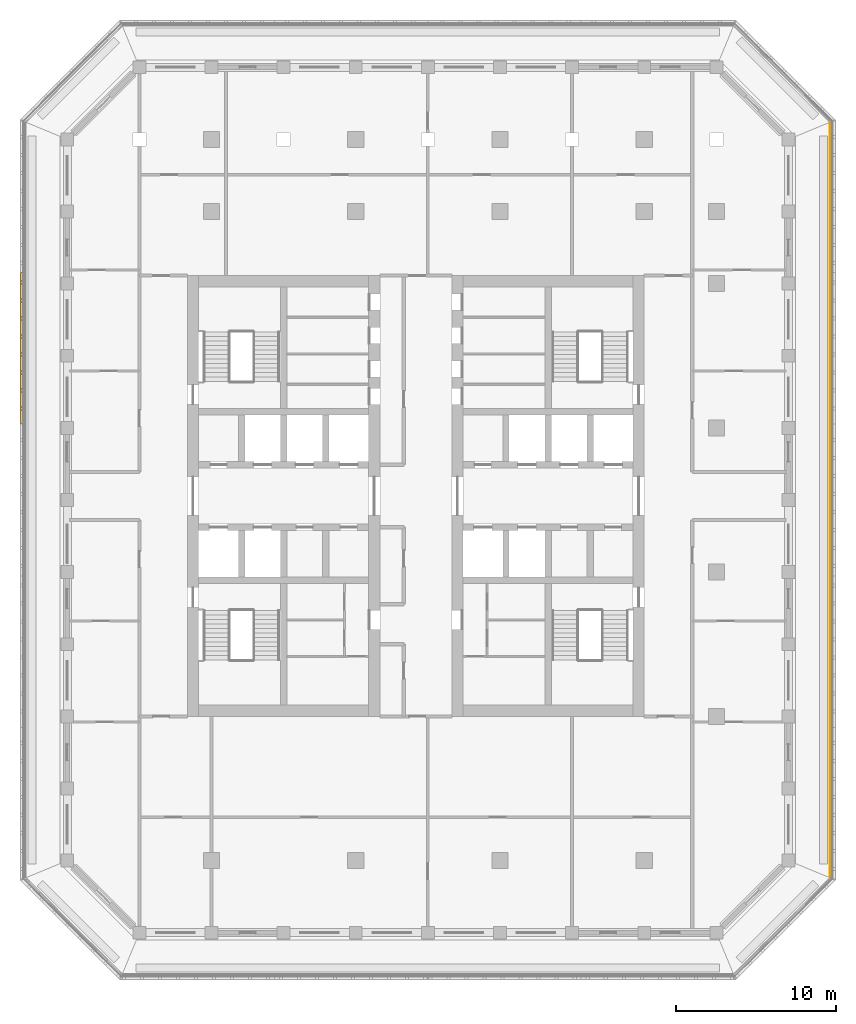
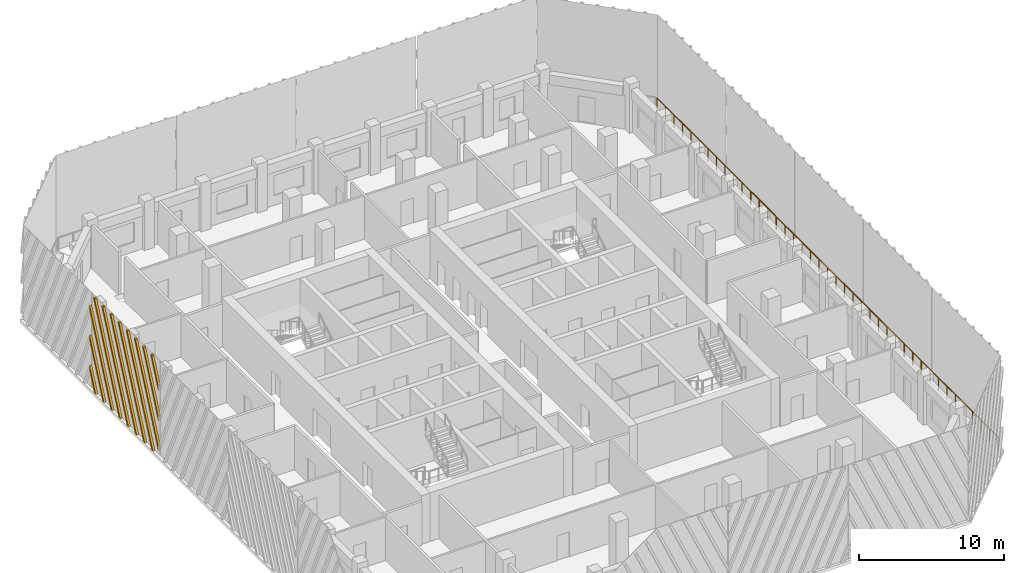
# One storey, part 13 of 17: 1 railing, 1 shading device.
"""IFC4 building model written with IfcOpenShell, lengths in metres."""

import ifcopenshell
import ifcopenshell.guid

model = None  # the IFC model being written
_history = None  # IfcOwnerHistory: only IFC2X3 demands one
_inside = {}  # id of a spatial element -> (the spatial element, [elements in it])
_under = {}  # id of a project, library or spatial element -> (it, [spatial elements below it])
_declared = {}  # id of a project -> (the project, [libraries it declares])
_typed = {}  # id of a type object -> (the type object, [elements of that type])
_made_of = {}  # id of a material, layer set ... -> (it, [elements and type objects made of it])


def new_model(schema):
    """Start an empty IFC model of exactly this schema.

    Asked for "IFC4X3", IfcOpenShell would pick the latest addendum, in which some entities
    have other attributes; the version numbers below select the first issue.
    IFC2X3 requires an IfcOwnerHistory on every rooted entity: one is made here for all.
    """
    global model, _history
    if schema == "IFC4X3":
        model = ifcopenshell.file(schema_version=(4, 3, 0, 0))
    else:
        model = ifcopenshell.file(schema=schema)
    _inside.clear()
    _under.clear()
    _declared.clear()
    _typed.clear()
    _made_of.clear()
    _history = None
    if model.schema == "IFC2X3":
        org = make("IfcOrganization", Name="unknown")
        user = make(
            "IfcPersonAndOrganization",
            ThePerson=make("IfcPerson", FamilyName="unknown"),
            TheOrganization=org,
        )
        app = make(
            "IfcApplication",
            ApplicationDeveloper=org,
            Version="unknown",
            ApplicationFullName="unknown",
            ApplicationIdentifier="unknown",
        )
        _history = make(
            "IfcOwnerHistory",
            OwningUser=user,
            OwningApplication=app,
            ChangeAction="ADDED",
            CreationDate=0,
        )
    return model


def make(cls, **values):
    """One entity of the class cls with the attributes given. An attribute that is None is left unset."""
    return model.create_entity(
        cls, **{name: value for name, value in values.items() if value is not None}
    )


def rooted(cls, **values):
    """An entity with a GlobalId (a new one), such as an element, a storey or a relation."""
    return make(cls, GlobalId=ifcopenshell.guid.new(), OwnerHistory=_history, **values)


def si_unit(unit_type, name, prefix=None):
    """IfcSIUnit, for example si_unit("LENGTHUNIT", "METRE", prefix="MILLI")."""
    return make("IfcSIUnit", UnitType=unit_type, Prefix=prefix, Name=name)


def assignment(units):
    """IfcUnitAssignment: the units of a project."""
    return None if units is None else make("IfcUnitAssignment", Units=units)


def point(xyz):
    """IfcCartesianPoint."""
    return None if xyz is None else make("IfcCartesianPoint", Coordinates=xyz)


def direction(xyz):
    """IfcDirection."""
    return None if xyz is None else make("IfcDirection", DirectionRatios=xyz)


def frame(location, z_axis=None, x_axis=None):
    """IfcAxis2Placement3D, a coordinate frame: its origin and axes. An axis left out is left unset."""
    return make(
        "IfcAxis2Placement3D",
        Location=point(location),
        Axis=direction(z_axis),
        RefDirection=direction(x_axis),
    )


def frame_2d(location, x_axis=None):
    """IfcAxis2Placement2D, a coordinate frame in the plane: its origin and x axis."""
    return make(
        "IfcAxis2Placement2D", Location=point(location), RefDirection=direction(x_axis)
    )


def origin():
    """The frame at (0, 0, 0) with its axes left unset."""
    return frame((0.0, 0.0, 0.0))


def origin_2d():
    """The frame at (0, 0) in the plane with its x axis left unset."""
    return frame_2d((0.0, 0.0))


def place(relative_to, where):
    """IfcLocalPlacement: puts the frame where relative to a parent placement (None: the world)."""
    return make(
        "IfcLocalPlacement", PlacementRelTo=relative_to, RelativePlacement=where
    )


def context(
    kind, dimensions, precision=None, world=None, true_north=None, identifier=None
):
    """IfcGeometricRepresentationContext, for example the 3D "Model" context."""
    return make(
        "IfcGeometricRepresentationContext",
        ContextIdentifier=identifier,
        ContextType=kind,
        CoordinateSpaceDimension=dimensions,
        Precision=precision,
        WorldCoordinateSystem=world,
        TrueNorth=true_north,
    )


def subcontext(parent, identifier, kind, view, scale=None):
    """IfcGeometricRepresentationSubContext, for example "Body" below "Model"."""
    return make(
        "IfcGeometricRepresentationSubContext",
        ContextIdentifier=identifier,
        ContextType=kind,
        ParentContext=parent,
        TargetScale=scale,
        TargetView=view,
    )


def project(units=None, contexts=None):
    """IfcProject with its units and contexts."""
    return rooted(
        "IfcProject",
        Name="project",
        RepresentationContexts=contexts,
        UnitsInContext=assignment(units),
    )


def spatial(cls, under=None, at=None, **own):
    """A site, building, storey or space (cls), placed at a placement, below another one or the project."""
    s = rooted(cls, ObjectPlacement=at, **own)
    if under is not None:
        _under.setdefault(under.id(), (under, []))[1].append(s)
    return s


def polyline(points):
    """IfcPolyline through the points."""
    return make("IfcPolyline", Points=[point(p) for p in points])


def profile(cls, at=None, kind="AREA", **sizes):
    """A parametric profile (cls). Its sizes go by their IFC names, for example OverallWidth=200.0."""
    return make(cls, ProfileType=kind, Position=at, **sizes)


def circle(**sizes):
    """IfcCircleProfileDef."""
    return profile("IfcCircleProfileDef", **sizes)


def outline(outer, holes=None, kind="AREA"):
    """IfcArbitraryClosedProfileDef: a profile drawn as a closed curve; with holes, ...WithVoids."""
    if holes is None:
        return make("IfcArbitraryClosedProfileDef", ProfileType=kind, OuterCurve=outer)
    return make(
        "IfcArbitraryProfileDefWithVoids",
        ProfileType=kind,
        OuterCurve=outer,
        InnerCurves=holes,
    )


def extrude(swept, where, along, depth):
    """IfcExtrudedAreaSolid: the profile swept, set in the frame where, extruded along a direction by depth."""
    return make(
        "IfcExtrudedAreaSolid",
        SweptArea=swept,
        Position=where,
        ExtrudedDirection=direction(along),
        Depth=depth,
    )


def shape(context_of_items, identifier, shape_type, items):
    """IfcShapeRepresentation: the items that make up one representation, for example the "Body"."""
    return make(
        "IfcShapeRepresentation",
        ContextOfItems=context_of_items,
        RepresentationIdentifier=identifier,
        RepresentationType=shape_type,
        Items=items,
    )


def source(mapping_origin, context_of_items, identifier, shape_type, items):
    """IfcRepresentationMap: a shape defined once, which mapped items show again and again."""
    return make(
        "IfcRepresentationMap",
        MappingOrigin=mapping_origin,
        MappedRepresentation=shape(context_of_items, identifier, shape_type, items),
    )


def transform(
    local_origin,
    x_axis=None,
    y_axis=None,
    z_axis=None,
    scale=None,
    scale2=None,
    scale3=None,
    uniform=True,
):
    """IfcCartesianTransformationOperator3D, or its non-uniform kind. x_axis, y_axis, z_axis: its Axis1, 2, 3."""
    if uniform:
        return make(
            "IfcCartesianTransformationOperator3D",
            Axis1=direction(x_axis),
            Axis2=direction(y_axis),
            LocalOrigin=point(local_origin),
            Scale=scale,
            Axis3=direction(z_axis),
        )
    return make(
        "IfcCartesianTransformationOperator3DnonUniform",
        Axis1=direction(x_axis),
        Axis2=direction(y_axis),
        LocalOrigin=point(local_origin),
        Scale=scale,
        Axis3=direction(z_axis),
        Scale2=scale2,
        Scale3=scale3,
    )


def mapped(mapping_source, mapping_target):
    """IfcMappedItem: shows the shape of a source again, moved by a transform."""
    return make(
        "IfcMappedItem", MappingSource=mapping_source, MappingTarget=mapping_target
    )


def material(Name=None, Category=None):
    """IfcMaterial."""
    return make("IfcMaterial", Name=Name, Category=Category)


def made_of(thing, what):
    """Note that an element or type object is made of a material, layer set ...; save() writes the relation."""
    if what is not None:
        _made_of.setdefault(what.id(), (what, []))[1].append(thing)
    return thing


def type_object(cls, material=None, **own):
    """A type object (cls), such as IfcWallType, which elements share."""
    return made_of(rooted(cls, **own), material)


def element(
    cls,
    number,
    at=None,
    inside=None,
    cuts=None,
    type_object=None,
    material=None,
    context=None,
    identifier="Body",
    shape_type=None,
    held_by="IfcProductDefinitionShape",
    body=None,
    shapes=None,
    **own,
):
    """One element of the class cls, such as IfcWall. Its Tag is "e" and its number.

    at: its placement. inside: the storey or other place that contains it. cuts: it is an
    opening in that element (IfcRelVoidsElement). A single representation is given by context,
    identifier, shape_type and body (its items); several are given by shapes. held_by: the class
    of the entity that holds the representations. save() writes the other relations.
    """
    e = rooted(cls, Tag="e%d" % number, ObjectPlacement=at, **own)
    if body is not None:
        shapes = [shape(context, identifier, shape_type, body)]
    if shapes is not None:
        e.Representation = make(held_by, Representations=shapes)
    if inside is not None:
        _inside.setdefault(inside.id(), (inside, []))[1].append(e)
    if cuts is not None:
        rooted(
            "IfcRelVoidsElement", RelatingBuildingElement=cuts, RelatedOpeningElement=e
        )
    if type_object is not None:
        _typed.setdefault(type_object.id(), (type_object, []))[1].append(e)
    return made_of(e, material)


def aggregate(whole, parts):
    """IfcRelAggregates: a whole, such as a stair, and the parts it consists of."""
    return rooted("IfcRelAggregates", RelatingObject=whole, RelatedObjects=parts)


def save(model, path):
    """Write the relations noted so far, then the file.

    IfcRelAggregates (storeys below a building ...), IfcRelContainedInSpatialStructure (elements
    in a storey), IfcRelDefinesByType, IfcRelAssociatesMaterial and IfcRelDeclares: one each for
    every whole, place, type object, material and project.
    """
    for whole, parts in _under.values():
        aggregate(whole, parts)
    for where, things in _inside.values():
        rooted(
            "IfcRelContainedInSpatialStructure",
            RelatedElements=things,
            RelatingStructure=where,
        )
    for kind, things in _typed.values():
        rooted("IfcRelDefinesByType", RelatedObjects=things, RelatingType=kind)
    for what, things in _made_of.values():
        rooted("IfcRelAssociatesMaterial", RelatedObjects=things, RelatingMaterial=what)
    for by, libraries in _declared.values():
        rooted("IfcRelDeclares", RelatingContext=by, RelatedDefinitions=libraries)
    model.write(path)


model = new_model("IFC4")

# Units and contexts
model_context = context("Model", 3, precision=1e-05, world=origin(), true_north=direction((0.0, 1.0)))
body_context = subcontext(model_context, "Body", "Model", "MODEL_VIEW")
ifc_project = project(units=[si_unit("LENGTHUNIT", "METRE"), si_unit("AREAUNIT", "SQUARE_METRE"), si_unit("VOLUMEUNIT", "CUBIC_METRE"), si_unit("PLANEANGLEUNIT", "RADIAN"), si_unit("MASSUNIT", "GRAM", prefix="KILO")], contexts=[model_context])

# Site, building, storey
site_placement = place(None, origin())
site = spatial("IfcSite", under=ifc_project, at=site_placement, CompositionType="ELEMENT")
building_placement = place(site_placement, origin())
building = spatial("IfcBuilding", under=site, at=building_placement, Name="Corbel Stack Research Tower", CompositionType="ELEMENT")
storey_placement = place(building_placement, frame((0.0, 0.0, 231.60009765625)))
storey = spatial("IfcBuildingStorey", under=building, at=storey_placement, Name="L52", CompositionType="ELEMENT", Elevation=231.60009765625)

# Railing
ifc_material_1 = material(Name="Powder-coated steel guard", Category="steel")
railing_type = type_object("IfcRailingType", Name="Steel and glass guard 1100", PredefinedType="GUARDRAIL", material=ifc_material_1)
railing_placement = place(storey_placement, frame((29.60009765625, -19.00537109375, 0.0)))
element("IfcRailing", 1, at=railing_placement, inside=storey, type_object=railing_type, Name="Loggia guard L52 E", PredefinedType="GUARDRAIL", context=body_context, shape_type="SweptSolid", body=[
    extrude(circle(Radius=0.02392578125, at=origin_2d()), frame((0.0, 0.0, 1.076171875), z_axis=(0.0, 1.0, 0.0), x_axis=(-1.0, 0.0, 0.0)), (0.0, 0.0, 1.0), 47.0107421875),
    extrude(circle(Radius=0.02099609375, at=origin_2d()), origin(), (0.0, 0.0, 1.0), 1.052001953125),
    extrude(circle(Radius=0.02099609375, at=origin_2d()), frame((0.0, 1.17529296875, 0.0)), (0.0, 0.0, 1.0), 1.052001953125),
    extrude(circle(Radius=0.02099609375, at=origin_2d()), frame((0.0, 2.3505859375, 0.0)), (0.0, 0.0, 1.0), 1.052001953125),
    extrude(circle(Radius=0.02099609375, at=origin_2d()), frame((0.0, 3.52587890625, 0.0)), (0.0, 0.0, 1.0), 1.052001953125),
    extrude(circle(Radius=0.02099609375, at=origin_2d()), frame((0.0, 4.701171875, 0.0)), (0.0, 0.0, 1.0), 1.052001953125),
    extrude(circle(Radius=0.02099609375, at=origin_2d()), frame((0.0, 5.87646484375, 0.0)), (0.0, 0.0, 1.0), 1.052001953125),
    extrude(circle(Radius=0.02099609375, at=origin_2d()), frame((0.0, 7.051513671875, 0.0)), (0.0, 0.0, 1.0), 1.052001953125),
    extrude(circle(Radius=0.02099609375, at=origin_2d()), frame((0.0, 8.226806640625, 0.0)), (0.0, 0.0, 1.0), 1.052001953125),
    extrude(circle(Radius=0.02099609375, at=origin_2d()), frame((0.0, 9.402099609375, 0.0)), (0.0, 0.0, 1.0), 1.052001953125),
    extrude(circle(Radius=0.02099609375, at=origin_2d()), frame((0.0, 10.577392578125, 0.0)), (0.0, 0.0, 1.0), 1.052001953125),
    extrude(circle(Radius=0.02099609375, at=origin_2d()), frame((0.0, 11.752685546875, 0.0)), (0.0, 0.0, 1.0), 1.052001953125),
    extrude(circle(Radius=0.02099609375, at=origin_2d()), frame((0.0, 12.927978515625, 0.0)), (0.0, 0.0, 1.0), 1.052001953125),
    extrude(circle(Radius=0.02099609375, at=origin_2d()), frame((0.0, 14.103271484375, 0.0)), (0.0, 0.0, 1.0), 1.052001953125),
    extrude(circle(Radius=0.02099609375, at=origin_2d()), frame((0.0, 15.278564453125, 0.0)), (0.0, 0.0, 1.0), 1.052001953125),
    extrude(circle(Radius=0.02099609375, at=origin_2d()), frame((0.0, 16.453857421875, 0.0)), (0.0, 0.0, 1.0), 1.052001953125),
    extrude(circle(Radius=0.02099609375, at=origin_2d()), frame((0.0, 17.62890625, 0.0)), (0.0, 0.0, 1.0), 1.052001953125),
    extrude(circle(Radius=0.02099609375, at=origin_2d()), frame((0.0, 18.80419921875, 0.0)), (0.0, 0.0, 1.0), 1.052001953125),
    extrude(circle(Radius=0.02099609375, at=origin_2d()), frame((0.0, 19.9794921875, 0.0)), (0.0, 0.0, 1.0), 1.052001953125),
    extrude(circle(Radius=0.02099609375, at=origin_2d()), frame((0.0, 21.15478515625, 0.0)), (0.0, 0.0, 1.0), 1.052001953125),
    extrude(circle(Radius=0.02099609375, at=origin_2d()), frame((0.0, 22.330078125, 0.0)), (0.0, 0.0, 1.0), 1.052001953125),
    extrude(circle(Radius=0.02099609375, at=origin_2d()), frame((0.0, 23.50537109375, 0.0)), (0.0, 0.0, 1.0), 1.052001953125),
    extrude(circle(Radius=0.02099609375, at=origin_2d()), frame((0.0, 24.6806640625, 0.0)), (0.0, 0.0, 1.0), 1.052001953125),
    extrude(circle(Radius=0.02099609375, at=origin_2d()), frame((0.0, 25.85595703125, 0.0)), (0.0, 0.0, 1.0), 1.052001953125),
    extrude(circle(Radius=0.02099609375, at=origin_2d()), frame((0.0, 27.03125, 0.0)), (0.0, 0.0, 1.0), 1.052001953125),
    extrude(circle(Radius=0.02099609375, at=origin_2d()), frame((0.0, 28.20654296875, 0.0)), (0.0, 0.0, 1.0), 1.052001953125),
    extrude(circle(Radius=0.02099609375, at=origin_2d()), frame((0.0, 29.3818359375, 0.0)), (0.0, 0.0, 1.0), 1.052001953125),
    extrude(circle(Radius=0.02099609375, at=origin_2d()), frame((0.0, 30.556884765625, 0.0)), (0.0, 0.0, 1.0), 1.052001953125),
    extrude(circle(Radius=0.02099609375, at=origin_2d()), frame((0.0, 31.732177734375, 0.0)), (0.0, 0.0, 1.0), 1.052001953125),
    extrude(circle(Radius=0.02099609375, at=origin_2d()), frame((0.0, 32.907470703125, 0.0)), (0.0, 0.0, 1.0), 1.052001953125),
    extrude(circle(Radius=0.02099609375, at=origin_2d()), frame((0.0, 34.082763671875, 0.0)), (0.0, 0.0, 1.0), 1.052001953125),
    extrude(circle(Radius=0.02099609375, at=origin_2d()), frame((0.0, 35.258056640625, 0.0)), (0.0, 0.0, 1.0), 1.052001953125),
    extrude(circle(Radius=0.02099609375, at=origin_2d()), frame((0.0, 36.433349609375, 0.0)), (0.0, 0.0, 1.0), 1.052001953125),
    extrude(circle(Radius=0.02099609375, at=origin_2d()), frame((0.0, 37.608642578125, 0.0)), (0.0, 0.0, 1.0), 1.052001953125),
    extrude(circle(Radius=0.02099609375, at=origin_2d()), frame((0.0, 38.783935546875, 0.0)), (0.0, 0.0, 1.0), 1.052001953125),
    extrude(circle(Radius=0.02099609375, at=origin_2d()), frame((0.0, 39.959228515625, 0.0)), (0.0, 0.0, 1.0), 1.052001953125),
    extrude(circle(Radius=0.02099609375, at=origin_2d()), frame((0.0, 41.13427734375, 0.0)), (0.0, 0.0, 1.0), 1.052001953125),
    extrude(circle(Radius=0.02099609375, at=origin_2d()), frame((0.0, 42.3095703125, 0.0)), (0.0, 0.0, 1.0), 1.052001953125),
    extrude(circle(Radius=0.02099609375, at=origin_2d()), frame((0.0, 43.48486328125, 0.0)), (0.0, 0.0, 1.0), 1.052001953125),
    extrude(circle(Radius=0.02099609375, at=origin_2d()), frame((0.0, 44.66015625, 0.0)), (0.0, 0.0, 1.0), 1.052001953125),
    extrude(circle(Radius=0.02099609375, at=origin_2d()), frame((0.0, 45.83544921875, 0.0)), (0.0, 0.0, 1.0), 1.052001953125),
    extrude(circle(Radius=0.02099609375, at=origin_2d()), frame((0.0, 47.0107421875, 0.0)), (0.0, 0.0, 1.0), 1.052001953125),
])

# Shading device
ifc_material_2 = material(Name="Precast terracotta", Category="masonry")
shading_device_type = type_object("IfcShadingDeviceType", Name="Terracotta screen panel", PredefinedType="USERDEFINED", material=ifc_material_2)
shared_shape = source(origin(), body_context, "Body", "SweptSolid", [
    extrude(outline(polyline([(0.862060546875, 0.0), (0.0, 1.936279296875), (0.0, 1.509521484375), (0.672119140625, 0.0), (0.862060546875, 0.0)])), frame((0.0, 0.0, 0.0), z_axis=(0.0, -1.0, 0.0), x_axis=(1.0, 0.0, 0.0)), (0.0, 0.0, 1.0), 0.179931640625),
    extrude(outline(polyline([(1.987060546875, 0.0), (0.0, 4.463134765625), (0.0, 4.036376953125), (1.797119140625, 0.0), (1.987060546875, 0.0)])), frame((0.0, 0.0, 0.0), z_axis=(0.0, -1.0, 0.0), x_axis=(1.0, 0.0, 0.0)), (0.0, 0.0, 1.0), 0.179931640625),
    extrude(outline(polyline([(3.112060546875, 0.0), (0.0, 6.989990234375), (0.0, 6.563232421875), (2.922119140625, 0.0), (3.112060546875, 0.0)])), frame((0.0, 0.0, 0.0), z_axis=(0.0, -1.0, 0.0), x_axis=(1.0, 0.0, 0.0)), (0.0, 0.0, 1.0), 0.179931640625),
    extrude(outline(polyline([(4.237060546875, 0.0), (0.697509765625, 7.949951171875), (0.507568359375, 7.949951171875), (4.047119140625, 0.0), (4.237060546875, 0.0)])), frame((0.0, 0.0, 0.0), z_axis=(0.0, -1.0, 0.0), x_axis=(1.0, 0.0, 0.0)), (0.0, 0.0, 1.0), 0.179931640625),
    extrude(outline(polyline([(5.362060546875, 0.0), (1.822509765625, 7.949951171875), (1.632568359375, 7.949951171875), (5.172119140625, 0.0), (5.362060546875, 0.0)])), frame((0.0, 0.0, 0.0), z_axis=(0.0, -1.0, 0.0), x_axis=(1.0, 0.0, 0.0)), (0.0, 0.0, 1.0), 0.179931640625),
    extrude(outline(polyline([(6.487060546875, 0.0), (2.947509765625, 7.949951171875), (2.757568359375, 7.949951171875), (6.297119140625, 0.0), (6.487060546875, 0.0)])), frame((0.0, 0.0, 0.0), z_axis=(0.0, -1.0, 0.0), x_axis=(1.0, 0.0, 0.0)), (0.0, 0.0, 1.0), 0.179931640625),
    extrude(outline(polyline([(7.612060546875, 0.0), (4.072509765625, 7.949951171875), (3.882568359375, 7.949951171875), (7.422119140625, 0.0), (7.612060546875, 0.0)])), frame((0.0, 0.0, 0.0), z_axis=(0.0, -1.0, 0.0), x_axis=(1.0, 0.0, 0.0)), (0.0, 0.0, 1.0), 0.179931640625),
    extrude(outline(polyline([(8.737060546875, 0.0), (5.197509765625, 7.949951171875), (5.007568359375, 7.949951171875), (8.547119140625, 0.0), (8.737060546875, 0.0)])), frame((0.0, 0.0, 0.0), z_axis=(0.0, -1.0, 0.0), x_axis=(1.0, 0.0, 0.0)), (0.0, 0.0, 1.0), 0.179931640625),
    extrude(outline(polyline([(6.322509765625, 7.949951171875), (6.132568359375, 7.949951171875), (9.45556640625, 0.486328125), (9.45556640625, 0.9130859375), (6.322509765625, 7.949951171875)])), frame((0.0, 0.0, 0.0), z_axis=(0.0, -1.0, 0.0), x_axis=(1.0, 0.0, 0.0)), (0.0, 0.0, 1.0), 0.179931640625),
    extrude(outline(polyline([(7.447509765625, 7.949951171875), (7.257568359375, 7.949951171875), (9.45556640625, 3.01318359375), (9.45556640625, 3.439697265625), (7.447509765625, 7.949951171875)])), frame((0.0, 0.0, 0.0), z_axis=(0.0, -1.0, 0.0), x_axis=(1.0, 0.0, 0.0)), (0.0, 0.0, 1.0), 0.179931640625),
    extrude(outline(polyline([(8.572509765625, 7.949951171875), (8.382568359375, 7.949951171875), (9.45556640625, 5.539794921875), (9.45556640625, 5.966552734375), (8.572509765625, 7.949951171875)])), frame((0.0, 0.0, 0.0), z_axis=(0.0, -1.0, 0.0), x_axis=(1.0, 0.0, 0.0)), (0.0, 0.0, 1.0), 0.179931640625),
])
shading_device_placement = place(storey_placement, frame((-20.75, 18.68359375, 0.0), z_axis=(0.0, 0.0, 1.0), x_axis=(0.0, -1.0, 0.0)))
element("IfcShadingDevice", 2, at=shading_device_placement, inside=storey, type_object=shading_device_type, Name="Terracotta screen L52 W2", ObjectType="SCREEN", PredefinedType="USERDEFINED", context=body_context, shape_type="MappedRepresentation", body=[
    mapped(shared_shape, transform((0.0, 0.0, 0.0))),
])

save(model, "model.ifc")
